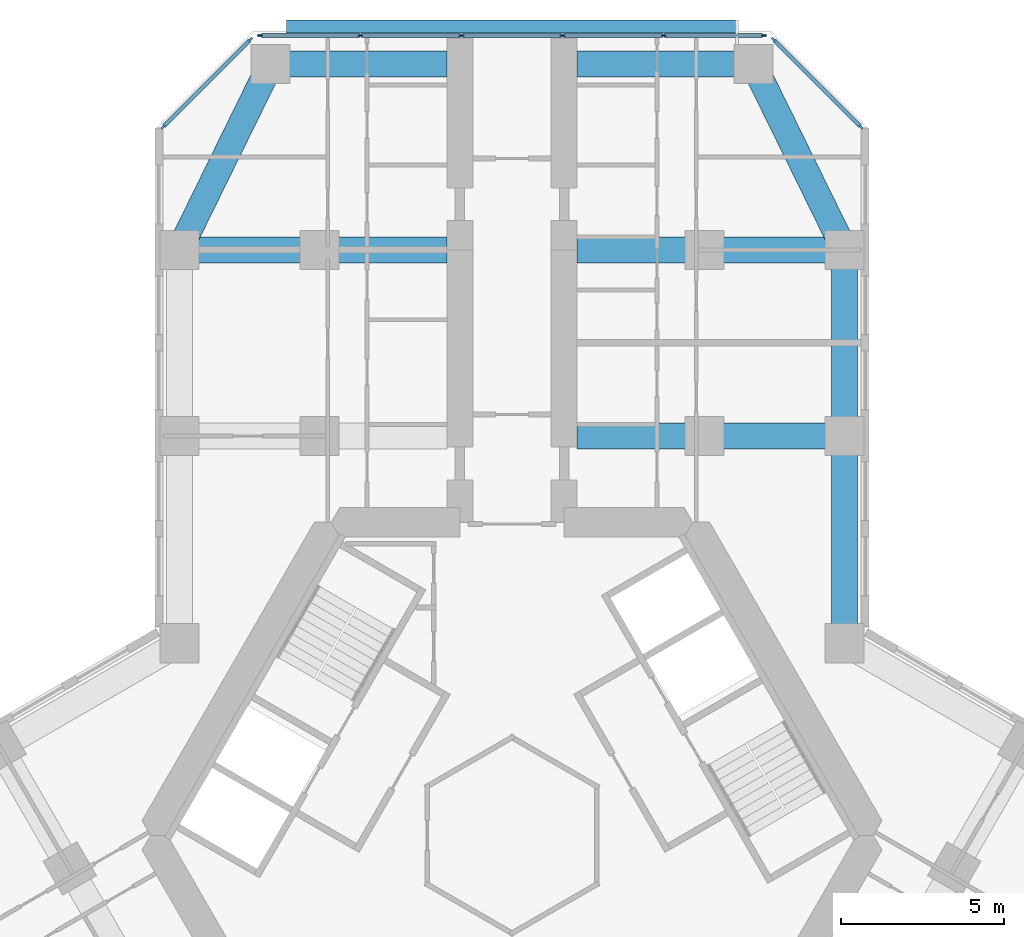
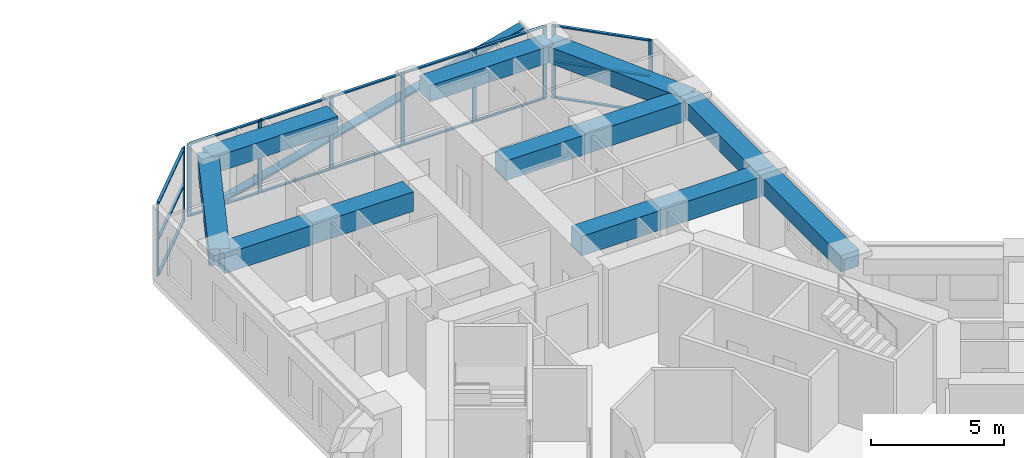
# One storey, part 7 of 20: 27 members, 9 beams, 3 elements without a shape of their own.
"""IFC4 building model written with IfcOpenShell, lengths in metres."""

from ifc_helpers import new_model, si_unit, direction, frame, origin, origin_2d, place, context, subcontext, project, spatial, rectangle, extrude, material, material_profile, profile_set, type_object, element, aggregate, save


model = new_model("IFC4")

# Units and contexts
model_context = context("Model", 3, precision=1e-05, world=origin(), true_north=direction((0.0, 1.0)))
body_context = subcontext(model_context, "Body", "Model", "MODEL_VIEW")
ifc_project = project(units=[si_unit("LENGTHUNIT", "METRE"), si_unit("AREAUNIT", "SQUARE_METRE"), si_unit("VOLUMEUNIT", "CUBIC_METRE"), si_unit("PLANEANGLEUNIT", "RADIAN"), si_unit("MASSUNIT", "GRAM", prefix="KILO")], contexts=[model_context])

# Site, building, storey
site_placement = place(None, origin())
site = spatial("IfcSite", under=ifc_project, at=site_placement, CompositionType="ELEMENT")
building_placement = place(site_placement, origin())
building = spatial("IfcBuilding", under=site, at=building_placement, Name="Kosmar Iwan School Tower", CompositionType="ELEMENT")
storey_placement = place(building_placement, frame((0.0, 0.0, 127.39990234375)))
storey = spatial("IfcBuildingStorey", under=building, at=storey_placement, Name="L31", CompositionType="ELEMENT", Elevation=127.39990234375)

# Member
ifc_material_1 = material(Name="Black anodised aluminium", Category="aluminium")
ifc_material_profile_1 = material_profile(ifc_material_1, rectangle(XDim=0.10009765625, YDim=0.39990234375, at=origin_2d()), Name="FIN 100x400")
ifc_profile_set_1 = profile_set([ifc_material_profile_1], Name="Black anodised aluminium")
member_type_1 = type_object("IfcMemberType", Name="Diagonal fin 100x400", PredefinedType="USERDEFINED", material=ifc_profile_set_1)
member_1_placement = place(storey_placement, frame((-6.898193359375, 24.800048828125, -0.14990234375), z_axis=(0.967599450335, 0.0, 0.252490205179), x_axis=(-0.252490205179, 0.0, 0.967599450335)))
element("IfcMember", 1, at=member_1_placement, inside=storey, type_object=member_type_1, Name="Diagonal fin L31-F08", ObjectType="FIN", PredefinedType="USERDEFINED", context=body_context, shape_type="SweptSolid", body=[
    extrude(rectangle(XDim=0.10009765625, YDim=0.39990234375, at=origin_2d()), origin(), (0.0, 0.0, 1.0), 14.25830078125),
])

# Curtain wall, members
ifc_material_2 = material(Name="Dark glass in black aluminium frame", Category="aluminium")
curtain_wall_type_1 = type_object("IfcCurtainWallType", Name="Chamfer curtain wall dark glass", PredefinedType="USERDEFINED", material=ifc_material_2)
curtain_wall_1_placement = place(storey_placement, origin())
curtain_wall_1 = element("IfcCurtainWall", 2, at=curtain_wall_1_placement, inside=storey, type_object=curtain_wall_type_1, Name="Curtain wall L31-F07", ObjectType="FACETED CURTAIN WALL", PredefinedType="USERDEFINED")
ifc_material_3 = material(Name="Black anodised aluminium", Category="aluminium")
ifc_material_profile_2 = material_profile(ifc_material_3, rectangle(XDim=0.06005859375, YDim=0.159912109375, at=origin_2d()), Name="MULLION 60x160")
ifc_profile_set_2 = profile_set([ifc_material_profile_2], Name="Black anodised aluminium")
member_type_2 = type_object("IfcMemberType", Name="Mullion 60x160", PredefinedType="MULLION", material=ifc_profile_set_2)
member_2_placement = place(storey_placement, frame((10.69775390625, 21.7255859375, 0.0), z_axis=(0.0, 0.0, 1.0), x_axis=(-0.707106781187, -0.707106781187, 0.0)))
member_2 = element("IfcMember", 3, at=member_2_placement, type_object=member_type_2, Name="CW2 mullion 1", PredefinedType="MULLION", context=body_context, shape_type="SweptSolid", body=[
    extrude(rectangle(XDim=0.06005859375, YDim=0.159912109375, at=origin_2d()), origin(), (0.0, 0.0, 1.0), 3.35009765625),
])
member_3_placement = place(storey_placement, frame((8.025390625, 24.397705078125, 0.0), z_axis=(0.0, 0.0, 1.0), x_axis=(-0.707106781187, -0.707106781187, 0.0)))
member_3 = element("IfcMember", 4, at=member_3_placement, type_object=member_type_2, Name="CW2 mullion 2", PredefinedType="MULLION", context=body_context, shape_type="SweptSolid", body=[
    extrude(rectangle(XDim=0.06005859375, YDim=0.159912109375, at=origin_2d()), origin(), (0.0, 0.0, 1.0), 3.35009765625),
])

ifc_material_4 = material(Name="Dark glass in black aluminium frame", Category="aluminium")
curtain_wall_type_2 = type_object("IfcCurtainWallType", Name="Tower curtain wall dark glass", PredefinedType="USERDEFINED", material=ifc_material_4)
curtain_wall_2_placement = place(storey_placement, origin())
curtain_wall_2 = element("IfcCurtainWall", 5, at=curtain_wall_2_placement, inside=storey, type_object=curtain_wall_type_2, Name="Curtain wall L31-F08", ObjectType="UNITISED CURTAIN WALL", PredefinedType="USERDEFINED")
member_4_placement = place(storey_placement, frame((7.71826171875, 24.52490234375, 0.0), z_axis=(0.0, 0.0, 1.0), x_axis=(0.0, -1.0, 0.0)))
member_4 = element("IfcMember", 6, at=member_4_placement, type_object=member_type_2, Name="CW1 mullion 1", PredefinedType="MULLION", context=body_context, shape_type="SweptSolid", body=[
    extrude(rectangle(XDim=0.06005859375, YDim=0.159912109375, at=origin_2d()), origin(), (0.0, 0.0, 1.0), 3.35009765625),
])
member_5_placement = place(storey_placement, frame((4.64892578125, 24.52490234375, 0.0), z_axis=(0.0, 0.0, 1.0), x_axis=(0.0, -1.0, 0.0)))
member_5 = element("IfcMember", 7, at=member_5_placement, type_object=member_type_2, Name="CW1 mullion 2", PredefinedType="MULLION", context=body_context, shape_type="SweptSolid", body=[
    extrude(rectangle(XDim=0.06005859375, YDim=0.159912109375, at=origin_2d()), origin(), (0.0, 0.0, 1.0), 3.35009765625),
])
member_6_placement = place(storey_placement, frame((1.549560546875, 24.52490234375, 0.0), z_axis=(0.0, 0.0, 1.0), x_axis=(0.0, -1.0, 0.0)))
member_6 = element("IfcMember", 8, at=member_6_placement, type_object=member_type_2, Name="CW1 mullion 3", PredefinedType="MULLION", context=body_context, shape_type="SweptSolid", body=[
    extrude(rectangle(XDim=0.06005859375, YDim=0.159912109375, at=origin_2d()), origin(), (0.0, 0.0, 1.0), 3.35009765625),
])
member_7_placement = place(storey_placement, frame((-1.549560546875, 24.52490234375, 0.0), z_axis=(0.0, 0.0, 1.0), x_axis=(0.0, -1.0, 0.0)))
member_7 = element("IfcMember", 9, at=member_7_placement, type_object=member_type_2, Name="CW1 mullion 4", PredefinedType="MULLION", context=body_context, shape_type="SweptSolid", body=[
    extrude(rectangle(XDim=0.06005859375, YDim=0.159912109375, at=origin_2d()), origin(), (0.0, 0.0, 1.0), 3.35009765625),
])
member_8_placement = place(storey_placement, frame((-4.64892578125, 24.52490234375, 0.0), z_axis=(0.0, 0.0, 1.0), x_axis=(0.0, -1.0, 0.0)))
member_8 = element("IfcMember", 10, at=member_8_placement, type_object=member_type_2, Name="CW1 mullion 5", PredefinedType="MULLION", context=body_context, shape_type="SweptSolid", body=[
    extrude(rectangle(XDim=0.06005859375, YDim=0.159912109375, at=origin_2d()), origin(), (0.0, 0.0, 1.0), 3.35009765625),
])
member_9_placement = place(storey_placement, frame((-7.71826171875, 24.52490234375, 0.0), z_axis=(0.0, 0.0, 1.0), x_axis=(0.0, -1.0, 0.0)))
member_9 = element("IfcMember", 11, at=member_9_placement, type_object=member_type_2, Name="CW1 mullion 6", PredefinedType="MULLION", context=body_context, shape_type="SweptSolid", body=[
    extrude(rectangle(XDim=0.06005859375, YDim=0.159912109375, at=origin_2d()), origin(), (0.0, 0.0, 1.0), 3.35009765625),
])

curtain_wall_3_placement = place(storey_placement, origin())
curtain_wall_3 = element("IfcCurtainWall", 12, at=curtain_wall_3_placement, inside=storey, type_object=curtain_wall_type_1, Name="Curtain wall L31-F09", ObjectType="FACETED CURTAIN WALL", PredefinedType="USERDEFINED")
member_10_placement = place(storey_placement, frame((-8.025390625, 24.397705078125, 0.0), z_axis=(0.0, 0.0, 1.0), x_axis=(0.707106781187, -0.707106781187, 0.0)))
member_10 = element("IfcMember", 13, at=member_10_placement, type_object=member_type_2, Name="CW2 mullion 1", PredefinedType="MULLION", context=body_context, shape_type="SweptSolid", body=[
    extrude(rectangle(XDim=0.06005859375, YDim=0.159912109375, at=origin_2d()), origin(), (0.0, 0.0, 1.0), 3.35009765625),
])
member_11_placement = place(storey_placement, frame((-10.69775390625, 21.7255859375, 0.0), z_axis=(0.0, 0.0, 1.0), x_axis=(0.707106781187, -0.707106781187, 0.0)))
member_11 = element("IfcMember", 14, at=member_11_placement, type_object=member_type_2, Name="CW2 mullion 2", PredefinedType="MULLION", context=body_context, shape_type="SweptSolid", body=[
    extrude(rectangle(XDim=0.06005859375, YDim=0.159912109375, at=origin_2d()), origin(), (0.0, 0.0, 1.0), 3.35009765625),
])

# Beams
ifc_material_5 = material(Name="Concrete C50/60", Category="concrete")
ifc_material_profile_3 = material_profile(ifc_material_5, rectangle(XDim=0.800048828125, YDim=0.75, at=origin_2d()), Name="RC 800x750")
ifc_profile_set_3 = profile_set([ifc_material_profile_3], Name="Concrete C50/60")
beam_type_1 = type_object("IfcBeamType", Name="RC edge beam 800x750", PredefinedType="BEAM", material=ifc_profile_set_3)
beam_1_placement = place(storey_placement, frame((10.199951171875, 5.888916015625, 2.97509765625), z_axis=(0.0, 1.0, 0.0), x_axis=(-1.0, 0.0, 0.0)))
element("IfcBeam", 15, at=beam_1_placement, inside=storey, type_object=beam_type_1, Name="Edge beam AR1", PredefinedType="BEAM", context=body_context, shape_type="SweptSolid", body=[
    extrude(rectangle(XDim=0.800048828125, YDim=0.75, at=origin_2d()), origin(), (0.0, 0.0, 1.0), 6.361083984375),
])
beam_2_placement = place(storey_placement, frame((10.199951171875, 12.25, 2.97509765625), z_axis=(0.0, 1.0, 0.0), x_axis=(-1.0, 0.0, 0.0)))
element("IfcBeam", 16, at=beam_2_placement, inside=storey, type_object=beam_type_1, Name="Edge beam AR2", PredefinedType="BEAM", context=body_context, shape_type="SweptSolid", body=[
    extrude(rectangle(XDim=0.800048828125, YDim=0.75, at=origin_2d()), origin(), (0.0, 0.0, 1.0), 5.699951171875),
])
ifc_material_6 = material(Name="Concrete C50/60", Category="concrete")
ifc_material_profile_4 = material_profile(ifc_material_6, rectangle(XDim=0.800048828125, YDim=0.75, at=origin_2d()), Name="RC 800x750")
ifc_profile_set_4 = profile_set([ifc_material_profile_4], Name="Concrete C50/60")
beam_type_2 = type_object("IfcBeamType", Name="RC tip beam 800x750", PredefinedType="BEAM", material=ifc_profile_set_4)
beam_3_placement = place(storey_placement, frame((-10.199951171875, 17.949951171875, 2.97509765625), z_axis=(0.440913116462, 0.897549788999, 0.0), x_axis=(-0.897549788999, 0.440913116462, 0.0)))
element("IfcBeam", 17, at=beam_3_placement, inside=storey, type_object=beam_type_2, Name="Tip beam AL", PredefinedType="BEAM", context=body_context, shape_type="SweptSolid", body=[
    extrude(rectangle(XDim=0.800048828125, YDim=0.75, at=origin_2d()), origin(), (0.0, 0.0, 1.0), 6.3505859375),
])
beam_4_placement = place(storey_placement, frame((-7.39990234375, 23.64990234375, 2.97509765625), z_axis=(1.0, 0.0, 0.0), x_axis=(0.0, 1.0, 0.0)))
element("IfcBeam", 18, at=beam_4_placement, inside=storey, type_object=beam_type_2, Name="Tip beam AL to corridor wall", PredefinedType="BEAM", context=body_context, shape_type="SweptSolid", body=[
    extrude(rectangle(XDim=0.800048828125, YDim=0.75, at=origin_2d()), origin(), (0.0, 0.0, 1.0), 5.39990234375),
])
beam_5_placement = place(storey_placement, frame((10.199951171875, 17.949951171875, 2.97509765625), z_axis=(-0.440913116462, 0.897549788999, 0.0), x_axis=(-0.897549788999, -0.440913116462, 0.0)))
element("IfcBeam", 19, at=beam_5_placement, inside=storey, type_object=beam_type_2, Name="Tip beam AR", PredefinedType="BEAM", context=body_context, shape_type="SweptSolid", body=[
    extrude(rectangle(XDim=0.800048828125, YDim=0.75, at=origin_2d()), origin(), (0.0, 0.0, 1.0), 6.3505859375),
])
beam_6_placement = place(storey_placement, frame((7.39990234375, 23.64990234375, 2.97509765625), z_axis=(-1.0, 0.0, 0.0), x_axis=(0.0, -1.0, 0.0)))
element("IfcBeam", 20, at=beam_6_placement, inside=storey, type_object=beam_type_2, Name="Tip beam AR to corridor wall", PredefinedType="BEAM", context=body_context, shape_type="SweptSolid", body=[
    extrude(rectangle(XDim=0.800048828125, YDim=0.75, at=origin_2d()), origin(), (0.0, 0.0, 1.0), 5.39990234375),
])
ifc_material_7 = material(Name="Concrete C50/60", Category="concrete")
ifc_material_profile_5 = material_profile(ifc_material_7, rectangle(XDim=0.800048828125, YDim=0.89990234375, at=origin_2d()), Name="RC 800x900")
ifc_profile_set_5 = profile_set([ifc_material_profile_5], Name="Concrete C50/60")
beam_type_3 = type_object("IfcBeamType", Name="RC transverse beam 800x900", PredefinedType="BEAM", material=ifc_profile_set_5)
for number, where, z_axis, x_axis, name in (
    (21, (-10.199951171875, 17.949951171875, 2.900146484375), (1.0, 0.0, 0.0), (0.0, 1.0, 0.0), "Transverse beam AL2"),
    (22, (10.199951171875, 12.25, 2.900146484375), (-1.0, 0.0, 0.0), (0.0, -1.0, 0.0), "Transverse beam AR1"),
    (23, (10.199951171875, 17.949951171875, 2.900146484375), (-1.0, 0.0, 0.0), (0.0, -1.0, 0.0), "Transverse beam AR2"),
):
    element("IfcBeam", number, at=place(storey_placement, frame(where, z_axis=z_axis, x_axis=x_axis)), inside=storey, type_object=beam_type_3, Name=name, PredefinedType="BEAM", context=body_context, shape_type="SweptSolid", body=[
        extrude(rectangle(XDim=0.800048828125, YDim=0.89990234375, at=origin_2d()), origin(), (0.0, 0.0, 1.0), 8.199951171875),
    ])

# Member
ifc_material_8 = material(Name="Black anodised aluminium", Category="aluminium")
ifc_material_profile_6 = material_profile(ifc_material_8, rectangle(XDim=0.1201171875, YDim=0.06005859375, at=origin_2d()), Name="TRANSOM 60x120")
ifc_profile_set_6 = profile_set([ifc_material_profile_6], Name="Black anodised aluminium")
member_type_3 = type_object("IfcMemberType", Name="Transom 60x120", PredefinedType="USERDEFINED", material=ifc_profile_set_6)
member_12_placement = place(storey_placement, frame((10.676513671875, 21.746826171875, 0.030029296875), z_axis=(-0.707139603466, 0.707073957383, 0.0), x_axis=(-0.707073957383, -0.707139603466, 0.0)))
member_12 = element("IfcMember", 24, at=member_12_placement, type_object=member_type_3, Name="CW2 transom 1.1", ObjectType="TRANSOM", PredefinedType="USERDEFINED", context=body_context, shape_type="SweptSolid", body=[
    extrude(rectangle(XDim=0.1201171875, YDim=0.06005859375, at=origin_2d()), origin(), (0.0, 0.0, 1.0), 3.718994140625),
])

member_13_placement = place(storey_placement, frame((10.676513671875, 21.746826171875, 1.675048828125), z_axis=(-0.707139603466, 0.707073957383, 0.0), x_axis=(-0.707073957383, -0.707139603466, 0.0)))
member_13 = element("IfcMember", 25, at=member_13_placement, type_object=member_type_3, Name="CW2 transom 1.2", ObjectType="TRANSOM", PredefinedType="USERDEFINED", context=body_context, shape_type="SweptSolid", body=[
    extrude(rectangle(XDim=0.1201171875, YDim=0.06005859375, at=origin_2d()), origin(), (0.0, 0.0, 1.0), 3.718994140625),
])

member_14_placement = place(storey_placement, frame((10.676513671875, 21.746826171875, 3.320068359375), z_axis=(-0.707139603466, 0.707073957383, 0.0), x_axis=(-0.707073957383, -0.707139603466, 0.0)))
member_14 = element("IfcMember", 26, at=member_14_placement, type_object=member_type_3, Name="CW2 transom 1.3", ObjectType="TRANSOM", PredefinedType="USERDEFINED", context=body_context, shape_type="SweptSolid", body=[
    extrude(rectangle(XDim=0.1201171875, YDim=0.06005859375, at=origin_2d()), origin(), (0.0, 0.0, 1.0), 3.718994140625),
])

aggregate(curtain_wall_1, [member_2, member_3, member_12, member_13, member_14])

member_15_placement = place(storey_placement, frame((7.688232421875, 24.52490234375, 0.030029296875), z_axis=(-1.0, 0.0, 0.0), x_axis=(0.0, -1.0, 0.0)))
member_15 = element("IfcMember", 27, at=member_15_placement, type_object=member_type_3, Name="CW1 transom 1.1", ObjectType="TRANSOM", PredefinedType="USERDEFINED", context=body_context, shape_type="SweptSolid", body=[
    extrude(rectangle(XDim=0.1201171875, YDim=0.06005859375, at=origin_2d()), origin(), (0.0, 0.0, 1.0), 3.00927734375),
])

member_16_placement = place(storey_placement, frame((7.688232421875, 24.52490234375, 3.320068359375), z_axis=(-1.0, 0.0, 0.0), x_axis=(0.0, -1.0, 0.0)))
member_16 = element("IfcMember", 28, at=member_16_placement, type_object=member_type_3, Name="CW1 transom 1.2", ObjectType="TRANSOM", PredefinedType="USERDEFINED", context=body_context, shape_type="SweptSolid", body=[
    extrude(rectangle(XDim=0.1201171875, YDim=0.06005859375, at=origin_2d()), origin(), (0.0, 0.0, 1.0), 3.00927734375),
])

member_17_placement = place(storey_placement, frame((4.618896484375, 24.52490234375, 0.030029296875), z_axis=(-1.0, 0.0, 0.0), x_axis=(0.0, -1.0, 0.0)))
member_17 = element("IfcMember", 29, at=member_17_placement, type_object=member_type_3, Name="CW1 transom 2.1", ObjectType="TRANSOM", PredefinedType="USERDEFINED", context=body_context, shape_type="SweptSolid", body=[
    extrude(rectangle(XDim=0.1201171875, YDim=0.06005859375, at=origin_2d()), origin(), (0.0, 0.0, 1.0), 3.039306640625),
])

member_18_placement = place(storey_placement, frame((4.618896484375, 24.52490234375, 3.320068359375), z_axis=(-1.0, 0.0, 0.0), x_axis=(0.0, -1.0, 0.0)))
member_18 = element("IfcMember", 30, at=member_18_placement, type_object=member_type_3, Name="CW1 transom 2.2", ObjectType="TRANSOM", PredefinedType="USERDEFINED", context=body_context, shape_type="SweptSolid", body=[
    extrude(rectangle(XDim=0.1201171875, YDim=0.06005859375, at=origin_2d()), origin(), (0.0, 0.0, 1.0), 3.039306640625),
])

member_19_placement = place(storey_placement, frame((1.51953125, 24.52490234375, 0.030029296875), z_axis=(-1.0, 0.0, 0.0), x_axis=(0.0, -1.0, 0.0)))
member_19 = element("IfcMember", 31, at=member_19_placement, type_object=member_type_3, Name="CW1 transom 3.1", ObjectType="TRANSOM", PredefinedType="USERDEFINED", context=body_context, shape_type="SweptSolid", body=[
    extrude(rectangle(XDim=0.1201171875, YDim=0.06005859375, at=origin_2d()), origin(), (0.0, 0.0, 1.0), 3.0390625),
])

member_20_placement = place(storey_placement, frame((1.51953125, 24.52490234375, 3.320068359375), z_axis=(-1.0, 0.0, 0.0), x_axis=(0.0, -1.0, 0.0)))
member_20 = element("IfcMember", 32, at=member_20_placement, type_object=member_type_3, Name="CW1 transom 3.2", ObjectType="TRANSOM", PredefinedType="USERDEFINED", context=body_context, shape_type="SweptSolid", body=[
    extrude(rectangle(XDim=0.1201171875, YDim=0.06005859375, at=origin_2d()), origin(), (0.0, 0.0, 1.0), 3.0390625),
])

member_21_placement = place(storey_placement, frame((-1.57958984375, 24.52490234375, 0.030029296875), z_axis=(-1.0, 0.0, 0.0), x_axis=(0.0, -1.0, 0.0)))
member_21 = element("IfcMember", 33, at=member_21_placement, type_object=member_type_3, Name="CW1 transom 4.1", ObjectType="TRANSOM", PredefinedType="USERDEFINED", context=body_context, shape_type="SweptSolid", body=[
    extrude(rectangle(XDim=0.1201171875, YDim=0.06005859375, at=origin_2d()), origin(), (0.0, 0.0, 1.0), 3.039306640625),
])

member_22_placement = place(storey_placement, frame((-1.57958984375, 24.52490234375, 3.320068359375), z_axis=(-1.0, 0.0, 0.0), x_axis=(0.0, -1.0, 0.0)))
member_22 = element("IfcMember", 34, at=member_22_placement, type_object=member_type_3, Name="CW1 transom 4.2", ObjectType="TRANSOM", PredefinedType="USERDEFINED", context=body_context, shape_type="SweptSolid", body=[
    extrude(rectangle(XDim=0.1201171875, YDim=0.06005859375, at=origin_2d()), origin(), (0.0, 0.0, 1.0), 3.039306640625),
])

member_23_placement = place(storey_placement, frame((-4.678955078125, 24.52490234375, 0.030029296875), z_axis=(-1.0, 0.0, 0.0), x_axis=(0.0, -1.0, 0.0)))
member_23 = element("IfcMember", 35, at=member_23_placement, type_object=member_type_3, Name="CW1 transom 5.1", ObjectType="TRANSOM", PredefinedType="USERDEFINED", context=body_context, shape_type="SweptSolid", body=[
    extrude(rectangle(XDim=0.1201171875, YDim=0.06005859375, at=origin_2d()), origin(), (0.0, 0.0, 1.0), 3.00927734375),
])

member_24_placement = place(storey_placement, frame((-4.678955078125, 24.52490234375, 3.320068359375), z_axis=(-1.0, 0.0, 0.0), x_axis=(0.0, -1.0, 0.0)))
member_24 = element("IfcMember", 36, at=member_24_placement, type_object=member_type_3, Name="CW1 transom 5.2", ObjectType="TRANSOM", PredefinedType="USERDEFINED", context=body_context, shape_type="SweptSolid", body=[
    extrude(rectangle(XDim=0.1201171875, YDim=0.06005859375, at=origin_2d()), origin(), (0.0, 0.0, 1.0), 3.00927734375),
])

aggregate(curtain_wall_2, [member_4, member_5, member_6, member_7, member_8, member_9, member_15, member_16, member_17, member_18, member_19, member_20, member_21, member_22, member_23, member_24])

member_25_placement = place(storey_placement, frame((-8.046630859375, 24.37646484375, 0.030029296875), z_axis=(-0.707139603466, -0.707073957383, 0.0), x_axis=(0.707073957383, -0.707139603466, 0.0)))
member_25 = element("IfcMember", 37, at=member_25_placement, type_object=member_type_3, Name="CW2 transom 1.1", ObjectType="TRANSOM", PredefinedType="USERDEFINED", context=body_context, shape_type="SweptSolid", body=[
    extrude(rectangle(XDim=0.1201171875, YDim=0.06005859375, at=origin_2d()), origin(), (0.0, 0.0, 1.0), 3.718994140625),
])

member_26_placement = place(storey_placement, frame((-8.046630859375, 24.37646484375, 1.675048828125), z_axis=(-0.707139603466, -0.707073957383, 0.0), x_axis=(0.707073957383, -0.707139603466, 0.0)))
member_26 = element("IfcMember", 38, at=member_26_placement, type_object=member_type_3, Name="CW2 transom 1.2", ObjectType="TRANSOM", PredefinedType="USERDEFINED", context=body_context, shape_type="SweptSolid", body=[
    extrude(rectangle(XDim=0.1201171875, YDim=0.06005859375, at=origin_2d()), origin(), (0.0, 0.0, 1.0), 3.718994140625),
])

member_27_placement = place(storey_placement, frame((-8.046630859375, 24.37646484375, 3.320068359375), z_axis=(-0.707139603466, -0.707073957383, 0.0), x_axis=(0.707073957383, -0.707139603466, 0.0)))
member_27 = element("IfcMember", 39, at=member_27_placement, type_object=member_type_3, Name="CW2 transom 1.3", ObjectType="TRANSOM", PredefinedType="USERDEFINED", context=body_context, shape_type="SweptSolid", body=[
    extrude(rectangle(XDim=0.1201171875, YDim=0.06005859375, at=origin_2d()), origin(), (0.0, 0.0, 1.0), 3.718994140625),
])

aggregate(curtain_wall_3, [member_10, member_11, member_25, member_26, member_27])

save(model, "model.ifc")
